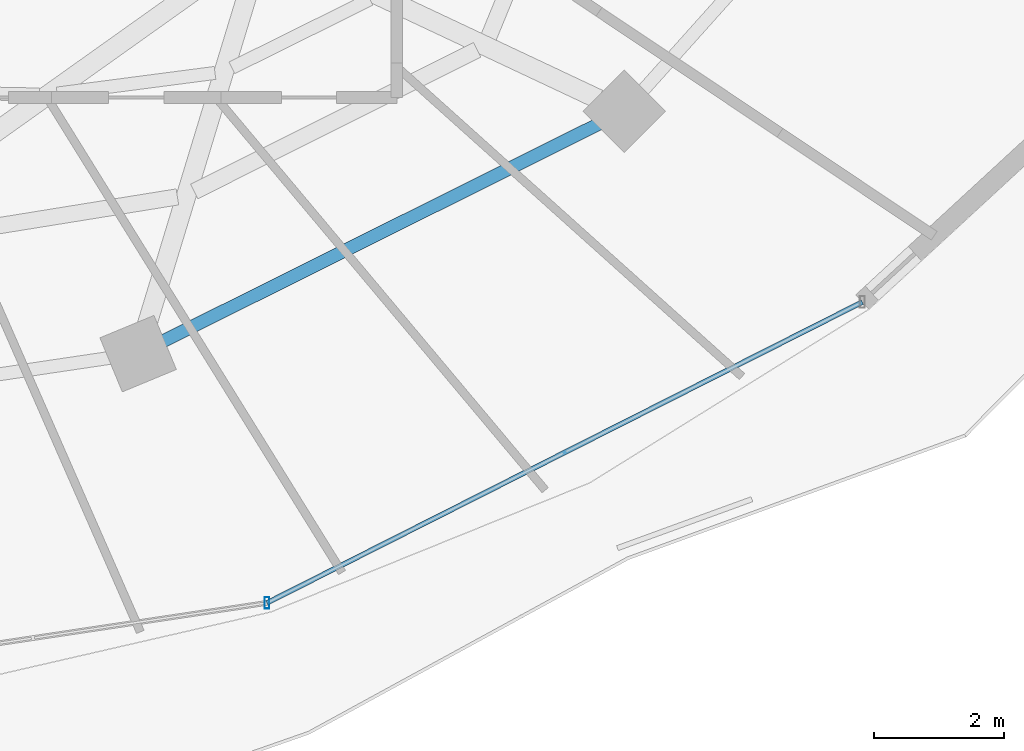
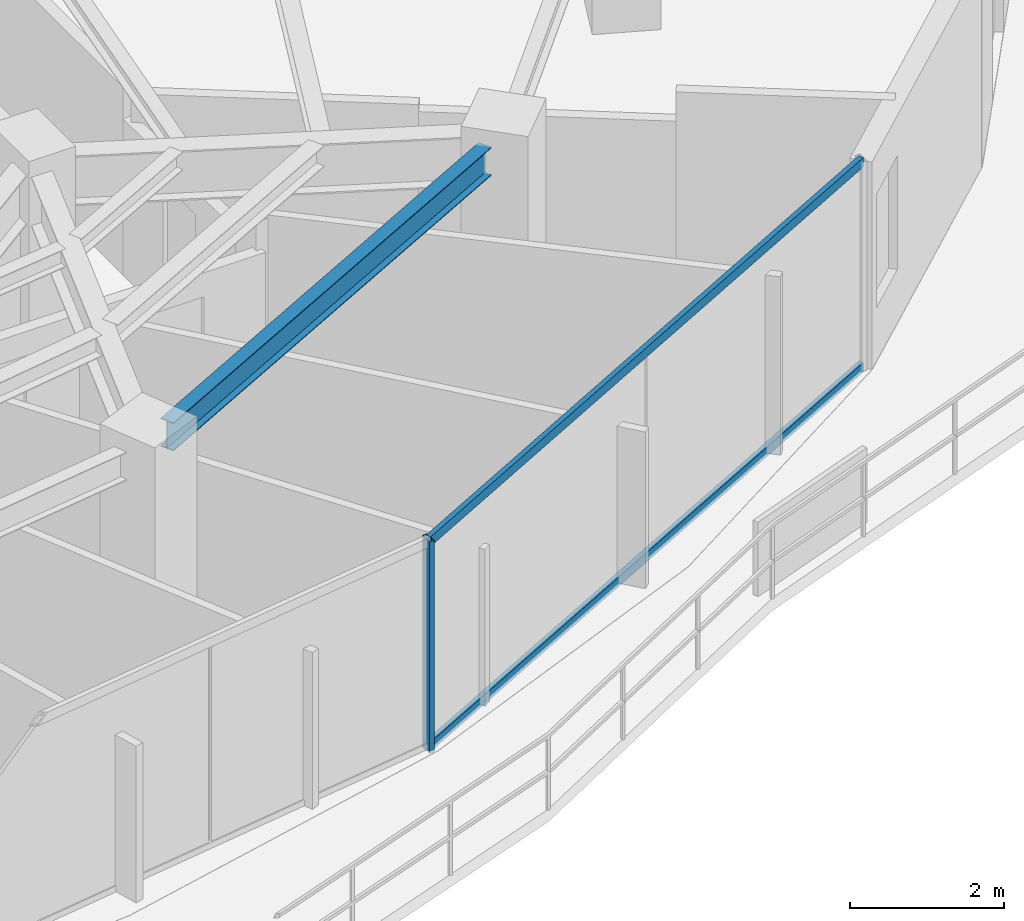
# One storey, part 11 of 34: 3 members, 1 beam, 1 element without a shape of its own.
"""IFC4 building model written with IfcOpenShell, lengths in metres."""

from ifc_helpers import new_model, si_unit, direction, frame, origin, origin_2d, place, context, subcontext, project, spatial, hollow_rectangle, i_section, extrude, material, material_profile, profile_set, type_object, element, aggregate, save


model = new_model("IFC4")

# Units and contexts
model_context = context("Model", 3, precision=1e-05, world=origin(), true_north=direction((0.0, 1.0)))
body_context = subcontext(model_context, "Body", "Model", "MODEL_VIEW")
ifc_project = project(units=[si_unit("LENGTHUNIT", "METRE"), si_unit("AREAUNIT", "SQUARE_METRE"), si_unit("VOLUMEUNIT", "CUBIC_METRE"), si_unit("PLANEANGLEUNIT", "RADIAN"), si_unit("MASSUNIT", "GRAM", prefix="KILO")], contexts=[model_context])

# Site, building, storey
site_placement = place(None, origin())
site = spatial("IfcSite", under=ifc_project, at=site_placement, CompositionType="ELEMENT")
building_placement = place(site_placement, origin())
building = spatial("IfcBuilding", under=site, at=building_placement, Name="Vorneva Point Tower", CompositionType="ELEMENT")
storey_placement = place(building_placement, frame((0.0, 0.0, 210.75)))
storey = spatial("IfcBuildingStorey", under=building, at=storey_placement, Name="L57", CompositionType="ELEMENT", Elevation=210.75)

# Beam
ifc_material_1 = material(Name="Steel S355", Category="steel")
ifc_material_profile_1 = material_profile(ifc_material_1, i_section(OverallWidth=0.198974609375, OverallDepth=0.446044921875, WebThickness=0.008056640625, FlangeThickness=0.011962890625, at=origin_2d()), Name="45B1")
ifc_profile_set_1 = profile_set([ifc_material_profile_1], Name="Steel S355")
beam_type = type_object("IfcBeamType", Name="BM-SPN-45B1", PredefinedType="SPANDREL", material=ifc_profile_set_1)
beam_placement = place(storey_placement, frame((47.210205078125, 10.303466796875, 3.06689453125), z_axis=(0.894922371084, 0.446221861559, 0.0), x_axis=(-0.446221861559, 0.894922371084, 0.0)))
element("IfcBeam", 1, at=beam_placement, inside=storey, type_object=beam_type, Name="L57 Perimeter Spandrel Ring Beam 14", PredefinedType="SPANDREL", context=body_context, shape_type="SweptSolid", body=[
    extrude(i_section(OverallWidth=0.198974609375, OverallDepth=0.446044921875, WebThickness=0.008056640625, FlangeThickness=0.011962890625, at=origin_2d()), origin(), (0.0, 0.0, 1.0), 7.48583984375),
])

# Curtain wall, members
ifc_material_2 = material(Name="Pale anodised aluminium", Category="aluminium")
curtain_wall_type = type_object("IfcCurtainWallType", Name="CW-RES-SYS", PredefinedType="NOTDEFINED", material=ifc_material_2)
curtain_wall_placement = place(storey_placement, origin())
curtain_wall = element("IfcCurtainWall", 2, at=curtain_wall_placement, inside=storey, type_object=curtain_wall_type, Name="L57 Unitised Curtain Wall CW-L57-R04", PredefinedType="NOTDEFINED")
ifc_material_profile_2 = material_profile(ifc_material_2, hollow_rectangle(XDim=0.074951171875, YDim=0.179931640625, WallThickness=0.00390625, at=origin_2d()), Name="AL-MUL 180x75x4")
ifc_profile_set_2 = profile_set([ifc_material_profile_2], Name="Pale anodised aluminium")
member_type_1 = type_object("IfcMemberType", Name="CW-MUL-180", PredefinedType="MULLION", material=ifc_profile_set_2)
member_1_placement = place(storey_placement, frame((48.80322265625, 6.275146484375, -0.0400390625), z_axis=(0.0, 0.0, 1.0), x_axis=(1.0, 0.0, 0.0)))
member_1 = element("IfcMember", 3, at=member_1_placement, type_object=member_type_1, Name="CW-L57-R04 Mullion 04", PredefinedType="MULLION", context=body_context, shape_type="SweptSolid", body=[
    extrude(hollow_rectangle(XDim=0.074951171875, YDim=0.179931640625, WallThickness=0.00390625, at=origin_2d()), origin(), (0.0, 0.0, 1.0), 3.360107421875),
])
ifc_material_profile_3 = material_profile(ifc_material_2, hollow_rectangle(XDim=0.074951171875, YDim=0.14990234375, WallThickness=0.00390625, at=origin_2d()), Name="AL-TRN 150x75x4")
ifc_profile_set_3 = profile_set([ifc_material_profile_3], Name="Pale anodised aluminium")
member_type_2 = type_object("IfcMemberType", Name="CW-TRN-150", PredefinedType="USERDEFINED", material=ifc_profile_set_3)
member_2_placement = place(storey_placement, frame((48.80322265625, 6.275146484375, 0.02001953125), z_axis=(0.892510927709, 0.451025768576, 0.0), x_axis=(-0.451025768576, 0.892510927709, 0.0)))
member_2 = element("IfcMember", 4, at=member_2_placement, type_object=member_type_2, Name="CW-L57-R04 Transom 04.1", ObjectType="TRANSOM", PredefinedType="USERDEFINED", context=body_context, shape_type="SweptSolid", body=[
    extrude(hollow_rectangle(XDim=0.074951171875, YDim=0.14990234375, WallThickness=0.00390625, at=origin_2d()), origin(), (0.0, 0.0, 1.0), 10.261474609375),
])
member_3_placement = place(storey_placement, frame((48.80322265625, 6.275146484375, 3.27001953125), z_axis=(0.892510927709, 0.451025768576, 0.0), x_axis=(-0.451025768576, 0.892510927709, 0.0)))
member_3 = element("IfcMember", 5, at=member_3_placement, type_object=member_type_2, Name="CW-L57-R04 Transom 04.2", ObjectType="TRANSOM", PredefinedType="USERDEFINED", context=body_context, shape_type="SweptSolid", body=[
    extrude(hollow_rectangle(XDim=0.074951171875, YDim=0.14990234375, WallThickness=0.00390625, at=origin_2d()), origin(), (0.0, 0.0, 1.0), 10.261474609375),
])
aggregate(curtain_wall, [member_1, member_2, member_3])

save(model, "model.ifc")
